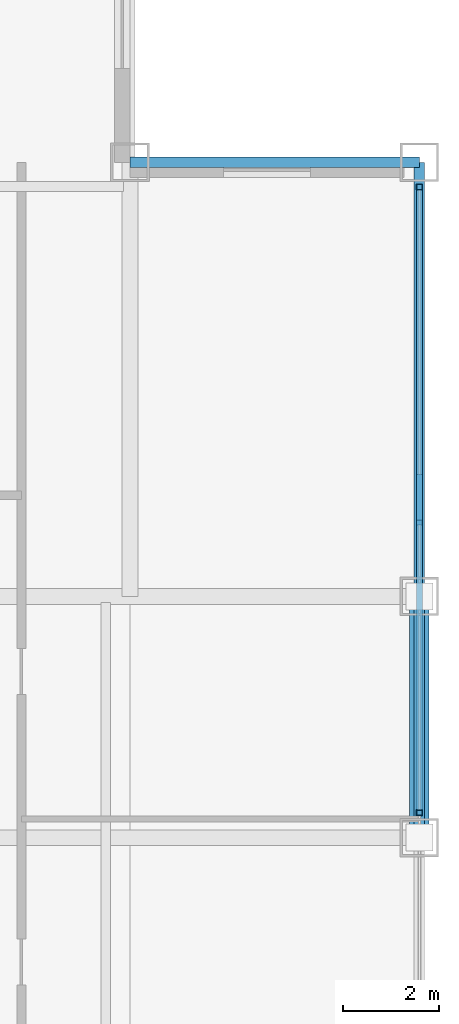
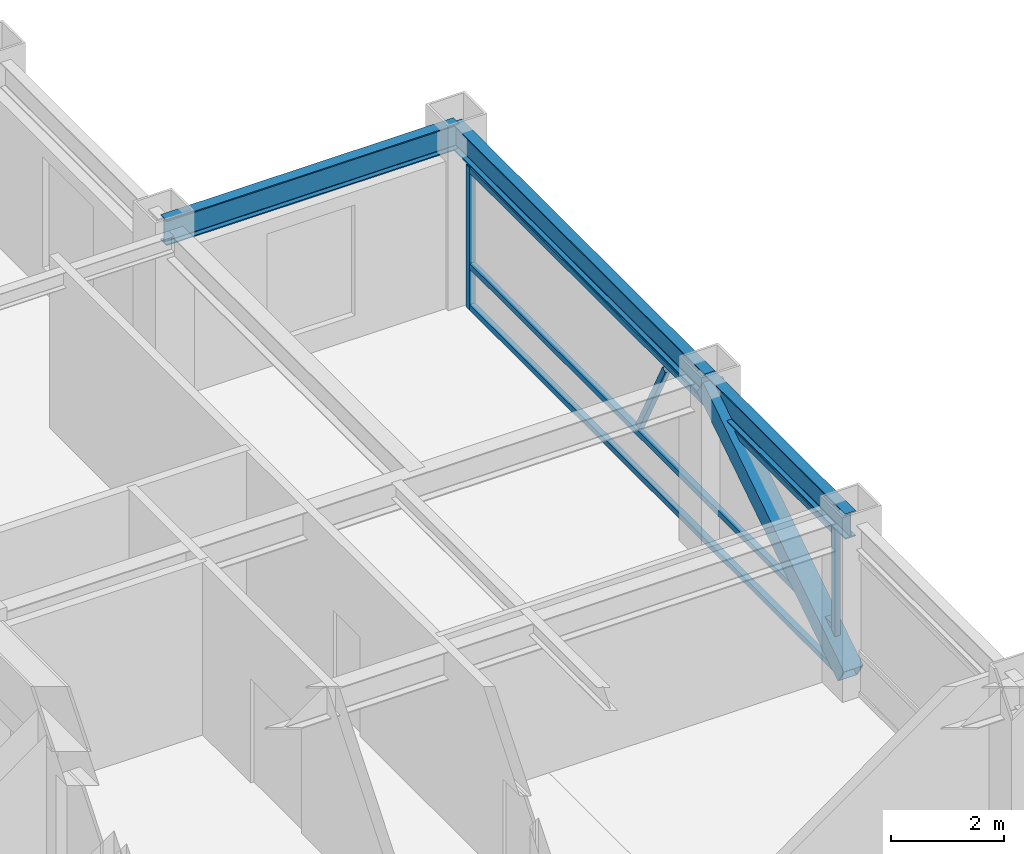
# One storey, part 22 of 29: 7 members, 3 beams, 1 element without a shape of its own.
"""IFC4 building model written with IfcOpenShell, lengths in metres."""

from ifc_helpers import new_model, si_unit, direction, frame, origin, origin_2d, place, context, subcontext, project, spatial, hollow_rectangle, i_section, extrude, source, transform, mapped, material, material_profile, profile_set, type_object, element, aggregate, save


model = new_model("IFC4")

# Units and contexts
model_context = context("Model", 3, precision=1e-05, world=origin(), true_north=direction((0.0, 1.0)))
body_context = subcontext(model_context, "Body", "Model", "MODEL_VIEW")
ifc_project = project(units=[si_unit("LENGTHUNIT", "METRE"), si_unit("AREAUNIT", "SQUARE_METRE"), si_unit("VOLUMEUNIT", "CUBIC_METRE"), si_unit("PLANEANGLEUNIT", "RADIAN"), si_unit("MASSUNIT", "GRAM", prefix="KILO")], contexts=[model_context])

# Site, building, storey
site_placement = place(None, origin())
site = spatial("IfcSite", under=ifc_project, at=site_placement, CompositionType="ELEMENT")
building_placement = place(site_placement, origin())
building = spatial("IfcBuilding", under=site, at=building_placement, Name="Khorayat Bourse Tower", CompositionType="ELEMENT")
storey_placement = place(building_placement, frame((0.0, 0.0, 354.300048828125)))
storey = spatial("IfcBuildingStorey", under=building, at=storey_placement, Name="L84", CompositionType="ELEMENT", Elevation=354.300048828125)

# Beams
ifc_material_1 = material(Name="Steel ASTM A992 Grade 50", Category="steel")
ifc_material_profile_1 = material_profile(ifc_material_1, i_section(OverallWidth=0.214111328125, OverallDepth=0.549072265625, WebThickness=0.0146484375, FlangeThickness=0.023681640625, FilletRadius=0.013916015625, at=origin_2d()), Name="W530X138")
ifc_profile_set_1 = profile_set([ifc_material_profile_1], Name="Steel ASTM A992 Grade 50")
beam_type = type_object("IfcBeamType", Name="BM-SPAN-530", PredefinedType="SPANDREL", material=ifc_profile_set_1)
shared_shape_1 = source(origin(), body_context, "Body", "SweptSolid", [
    extrude(i_section(OverallWidth=0.214111328125, OverallDepth=0.549072265625, WebThickness=0.0146484375, FlangeThickness=0.023681640625, FilletRadius=0.013916015625, at=origin_2d()), origin(), (0.0, 0.0, 1.0), 9.0),
])
beam_1_placement = place(storey_placement, frame((26.0, 11.0, 3.46533203125), z_axis=(0.0, 1.0, 0.0), x_axis=(-1.0, 0.0, 0.0)))
element("IfcBeam", 1, at=beam_1_placement, inside=storey, type_object=beam_type, Name="L84 BM-SPAN-530 BM-L84-SPN-037", PredefinedType="SPANDREL", context=body_context, shape_type="MappedRepresentation", body=[
    mapped(shared_shape_1, transform((0.0, 0.0, 0.0), scale=1.0)),
])
shared_shape_2 = source(origin(), body_context, "Body", "SweptSolid", [
    extrude(i_section(OverallWidth=0.214111328125, OverallDepth=0.549072265625, WebThickness=0.0146484375, FlangeThickness=0.023681640625, FilletRadius=0.013916015625, at=origin_2d()), origin(), (0.0, 0.0, 1.0), 5.0),
])
beam_2_placement = place(storey_placement, frame((26.0, 6.0, 3.46533203125), z_axis=(0.0, 1.0, 0.0), x_axis=(-1.0, 0.0, 0.0)))
element("IfcBeam", 2, at=beam_2_placement, inside=storey, type_object=beam_type, Name="L84 BM-SPAN-530 BM-L84-SPN-036", PredefinedType="SPANDREL", context=body_context, shape_type="MappedRepresentation", body=[
    mapped(shared_shape_2, transform((0.0, 0.0, 0.0), scale=1.0)),
])
shared_shape_3 = source(origin(), body_context, "Body", "SweptSolid", [
    extrude(i_section(OverallWidth=0.214111328125, OverallDepth=0.549072265625, WebThickness=0.0146484375, FlangeThickness=0.023681640625, FilletRadius=0.013916015625, at=origin_2d()), origin(), (0.0, 0.0, 1.0), 6.0),
])
beam_3_placement = place(storey_placement, frame((20.0, 20.0, 3.46533203125), z_axis=(1.0, 0.0, 0.0), x_axis=(0.0, 1.0, 0.0)))
element("IfcBeam", 3, at=beam_3_placement, inside=storey, type_object=beam_type, Name="L84 BM-SPAN-530 BM-L84-SPN-038", PredefinedType="SPANDREL", context=body_context, shape_type="MappedRepresentation", body=[
    mapped(shared_shape_3, transform((0.0, 0.0, 0.0), scale=1.0)),
])

# Member
ifc_material_2 = material(Name="Steel EN 10025-4 S460M", Category="steel")
ifc_material_profile_2 = material_profile(ifc_material_2, hollow_rectangle(XDim=0.39990234375, YDim=0.39990234375, WallThickness=0.02197265625, at=origin_2d()), Name="HSS 400x400x22")
ifc_profile_set_2 = profile_set([ifc_material_profile_2], Name="Steel EN 10025-4 S460M")
member_type_1 = type_object("IfcMemberType", Name="MBR-TUBE-400", PredefinedType="BRACE", material=ifc_profile_set_2)
shared_shape_4 = source(origin(), body_context, "Body", "SweptSolid", [
    extrude(hollow_rectangle(XDim=0.39990234375, YDim=0.39990234375, WallThickness=0.02197265625, at=origin_2d()), origin(), (0.0, 0.0, 1.0), 5.9580078125),
])
member_1_placement = place(storey_placement, frame((26.0, 6.0, 0.25), z_axis=(0.0, 0.839210474455, 0.543806748364), x_axis=(-1.0, 0.0, 0.0)))
element("IfcMember", 4, at=member_1_placement, inside=storey, type_object=member_type_1, Name="L84 Perimeter Tube Brace 08", PredefinedType="BRACE", context=body_context, shape_type="MappedRepresentation", body=[
    mapped(shared_shape_4, transform((0.0, 0.0, 0.0), scale=1.0)),
])

# Curtain wall, members
ifc_material_3 = material(Name="Aluminium EN AW-6063 T6", Category="aluminium")
curtain_wall_type = type_object("IfcCurtainWallType", Name="CW-SYS-06", PredefinedType="NOTDEFINED", material=ifc_material_3)
curtain_wall_placement = place(storey_placement, origin())
curtain_wall = element("IfcCurtainWall", 5, at=curtain_wall_placement, inside=storey, type_object=curtain_wall_type, Name="L84 Curtain Wall CW-L84-E1", PredefinedType="NOTDEFINED")
ifc_material_profile_3 = material_profile(ifc_material_3, hollow_rectangle(XDim=0.1201171875, YDim=0.1201171875, WallThickness=0.0048828125, at=origin_2d()), Name="ALU 120x120x5")
ifc_profile_set_3 = profile_set([ifc_material_profile_3], Name="Aluminium EN AW-6063 T6")
member_type_2 = type_object("IfcMemberType", Name="CWM-VERT-120", PredefinedType="MULLION", material=ifc_profile_set_3)
shared_shape_5 = source(origin(), body_context, "Body", "SweptSolid", [
    extrude(hollow_rectangle(XDim=0.1201171875, YDim=0.1201171875, WallThickness=0.0048828125, at=origin_2d()), origin(), (0.0, 0.0, 1.0), 3.08984375),
])
member_2_placement = place(storey_placement, frame((26.0, 6.5166015625, 0.0), z_axis=(0.0, 0.0, 1.0), x_axis=(-1.0, 0.0, 0.0)))
member_2 = element("IfcMember", 6, at=member_2_placement, type_object=member_type_2, Name="CW-L84-E1 Vertical Mullion 3", PredefinedType="MULLION", context=body_context, shape_type="MappedRepresentation", body=[
    mapped(shared_shape_5, transform((0.0, 0.0, 0.0), scale=1.0)),
])
member_3_placement = place(storey_placement, frame((26.0, 19.489990234375, 0.0), z_axis=(0.0, 0.0, 1.0), x_axis=(-1.0, 0.0, 0.0)))
member_3 = element("IfcMember", 7, at=member_3_placement, type_object=member_type_2, Name="CW-L84-E1 Vertical Mullion 4", PredefinedType="MULLION", context=body_context, shape_type="MappedRepresentation", body=[
    mapped(shared_shape_5, transform((0.0, 0.0, 0.0), scale=1.0)),
])
ifc_material_profile_4 = material_profile(ifc_material_3, hollow_rectangle(XDim=0.1201171875, YDim=0.1201171875, WallThickness=0.0048828125, at=origin_2d()), Name="ALU 120x120x5")
ifc_profile_set_4 = profile_set([ifc_material_profile_4], Name="Aluminium EN AW-6063 T6")
member_type_3 = type_object("IfcMemberType", Name="CWM-DIAG-120", PredefinedType="MULLION", material=ifc_profile_set_4)
shared_shape_6 = source(origin(), body_context, "Body", "SweptSolid", [
    extrude(hollow_rectangle(XDim=0.1201171875, YDim=0.1201171875, WallThickness=0.0048828125, at=origin_2d()), origin(), (0.0, 0.0, 1.0), 2.0341796875),
])
member_4_placement = place(storey_placement, frame((26.0, 13.47705078125, 1.08984375), z_axis=(0.0, -0.465790950955, 0.884894790361), x_axis=(1.0, 0.0, 0.0)))
member_4 = element("IfcMember", 8, at=member_4_placement, type_object=member_type_3, Name="CW-L84-E1 Faceted Diagonal Mullion 3", PredefinedType="MULLION", context=body_context, shape_type="MappedRepresentation", body=[
    mapped(shared_shape_6, transform((0.0, 0.0, 0.0), scale=1.0)),
])
ifc_material_profile_5 = material_profile(ifc_material_3, hollow_rectangle(XDim=0.1201171875, YDim=0.1201171875, WallThickness=0.0048828125, at=origin_2d()), Name="ALU 120x120x5")
ifc_profile_set_5 = profile_set([ifc_material_profile_5], Name="Aluminium EN AW-6063 T6")
member_type_4 = type_object("IfcMemberType", Name="CWT-HORZ-120", PredefinedType="USERDEFINED", material=ifc_profile_set_5)
shared_shape_7 = source(origin(), body_context, "Body", "SweptSolid", [
    extrude(hollow_rectangle(XDim=0.1201171875, YDim=0.1201171875, WallThickness=0.0048828125, at=origin_2d()), origin(), (0.0, 0.0, 1.0), 12.853271484375),
])
member_5_placement = place(storey_placement, frame((26.0, 6.57666015625, 0.06005859375), z_axis=(0.0, 1.0, 0.0), x_axis=(-1.0, 0.0, 0.0)))
member_5 = element("IfcMember", 9, at=member_5_placement, type_object=member_type_4, Name="CW-L84-E1 Horizontal Transom 3-1", ObjectType="TRANSOM", PredefinedType="USERDEFINED", context=body_context, shape_type="MappedRepresentation", body=[
    mapped(shared_shape_7, transform((0.0, 0.0, 0.0), scale=1.0)),
])
member_6_placement = place(storey_placement, frame((26.0, 6.57666015625, 0.949951171875), z_axis=(0.0, 1.0, 0.0), x_axis=(-1.0, 0.0, 0.0)))
member_6 = element("IfcMember", 10, at=member_6_placement, type_object=member_type_4, Name="CW-L84-E1 Horizontal Transom 3-2", ObjectType="TRANSOM", PredefinedType="USERDEFINED", context=body_context, shape_type="MappedRepresentation", body=[
    mapped(shared_shape_7, transform((0.0, 0.0, 0.0), scale=1.0)),
])
member_7_placement = place(storey_placement, frame((26.0, 6.57666015625, 3.030029296875), z_axis=(0.0, 1.0, 0.0), x_axis=(-1.0, 0.0, 0.0)))
member_7 = element("IfcMember", 11, at=member_7_placement, type_object=member_type_4, Name="CW-L84-E1 Horizontal Transom 3-3", ObjectType="TRANSOM", PredefinedType="USERDEFINED", context=body_context, shape_type="MappedRepresentation", body=[
    mapped(shared_shape_7, transform((0.0, 0.0, 0.0), scale=1.0)),
])
aggregate(curtain_wall, [member_2, member_3, member_5, member_6, member_7, member_4])

save(model, "model.ifc")
